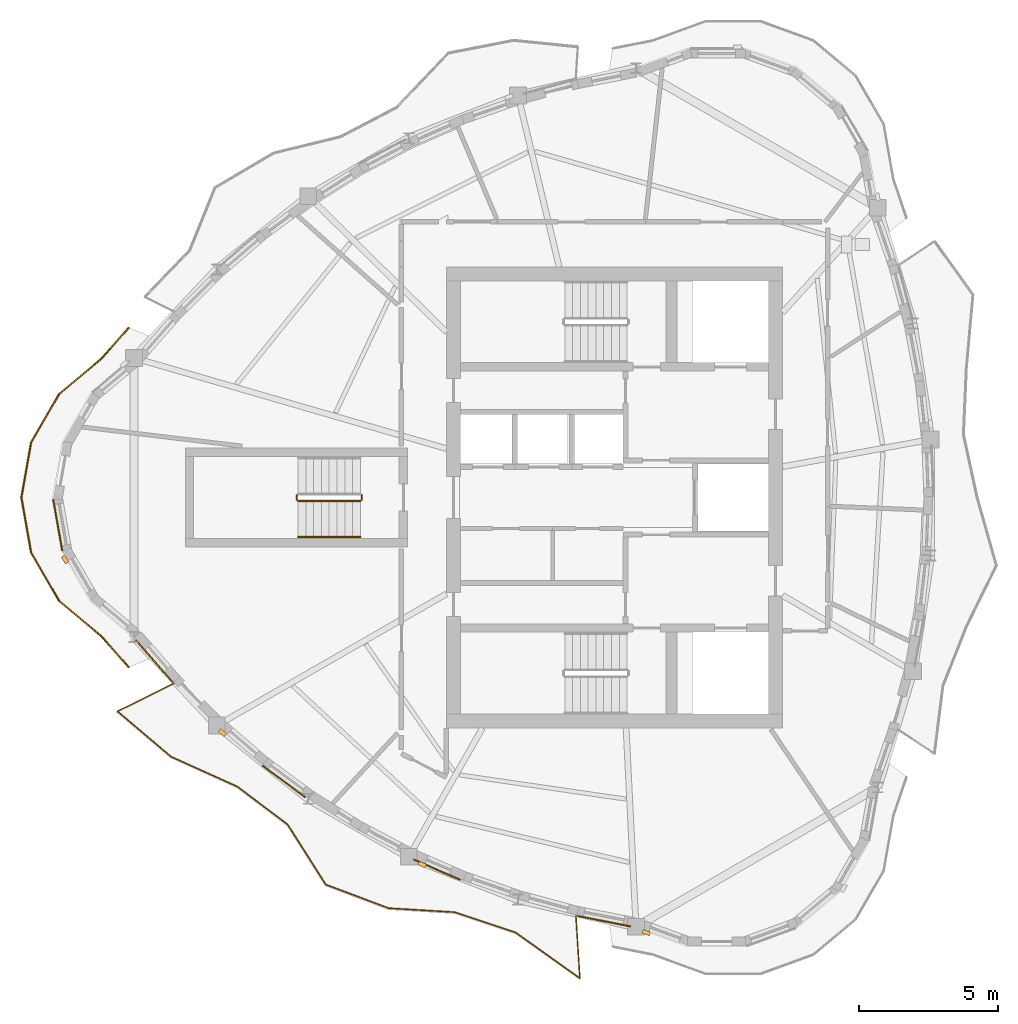
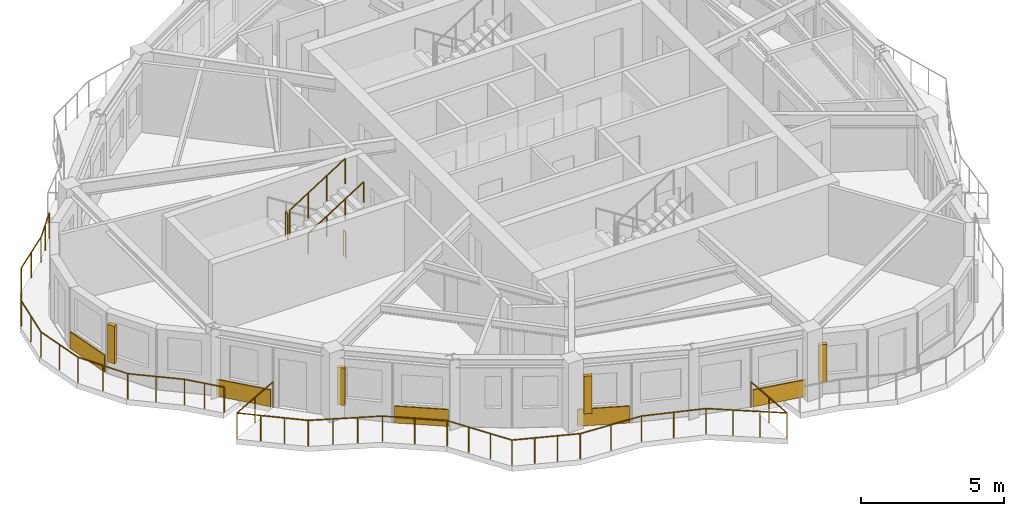
# One storey, part 8 of 12: 6 railings, 5 coverings, 4 shading devices.
"""IFC4 building model written with IfcOpenShell, lengths in metres."""

import ifcopenshell
import ifcopenshell.guid

model = None  # the IFC model being written
_history = None  # IfcOwnerHistory: only IFC2X3 demands one
_inside = {}  # id of a spatial element -> (the spatial element, [elements in it])
_under = {}  # id of a project, library or spatial element -> (it, [spatial elements below it])
_declared = {}  # id of a project -> (the project, [libraries it declares])
_typed = {}  # id of a type object -> (the type object, [elements of that type])
_made_of = {}  # id of a material, layer set ... -> (it, [elements and type objects made of it])


def new_model(schema):
    """Start an empty IFC model of exactly this schema.

    Asked for "IFC4X3", IfcOpenShell would pick the latest addendum, in which some entities
    have other attributes; the version numbers below select the first issue.
    IFC2X3 requires an IfcOwnerHistory on every rooted entity: one is made here for all.
    """
    global model, _history
    if schema == "IFC4X3":
        model = ifcopenshell.file(schema_version=(4, 3, 0, 0))
    else:
        model = ifcopenshell.file(schema=schema)
    _inside.clear()
    _under.clear()
    _declared.clear()
    _typed.clear()
    _made_of.clear()
    _history = None
    if model.schema == "IFC2X3":
        org = make("IfcOrganization", Name="unknown")
        user = make(
            "IfcPersonAndOrganization",
            ThePerson=make("IfcPerson", FamilyName="unknown"),
            TheOrganization=org,
        )
        app = make(
            "IfcApplication",
            ApplicationDeveloper=org,
            Version="unknown",
            ApplicationFullName="unknown",
            ApplicationIdentifier="unknown",
        )
        _history = make(
            "IfcOwnerHistory",
            OwningUser=user,
            OwningApplication=app,
            ChangeAction="ADDED",
            CreationDate=0,
        )
    return model


def make(cls, **values):
    """One entity of the class cls with the attributes given. An attribute that is None is left unset."""
    return model.create_entity(
        cls, **{name: value for name, value in values.items() if value is not None}
    )


def rooted(cls, **values):
    """An entity with a GlobalId (a new one), such as an element, a storey or a relation."""
    return make(cls, GlobalId=ifcopenshell.guid.new(), OwnerHistory=_history, **values)


def si_unit(unit_type, name, prefix=None):
    """IfcSIUnit, for example si_unit("LENGTHUNIT", "METRE", prefix="MILLI")."""
    return make("IfcSIUnit", UnitType=unit_type, Prefix=prefix, Name=name)


def assignment(units):
    """IfcUnitAssignment: the units of a project."""
    return None if units is None else make("IfcUnitAssignment", Units=units)


def point(xyz):
    """IfcCartesianPoint."""
    return None if xyz is None else make("IfcCartesianPoint", Coordinates=xyz)


def direction(xyz):
    """IfcDirection."""
    return None if xyz is None else make("IfcDirection", DirectionRatios=xyz)


def frame(location, z_axis=None, x_axis=None):
    """IfcAxis2Placement3D, a coordinate frame: its origin and axes. An axis left out is left unset."""
    return make(
        "IfcAxis2Placement3D",
        Location=point(location),
        Axis=direction(z_axis),
        RefDirection=direction(x_axis),
    )


def frame_2d(location, x_axis=None):
    """IfcAxis2Placement2D, a coordinate frame in the plane: its origin and x axis."""
    return make(
        "IfcAxis2Placement2D", Location=point(location), RefDirection=direction(x_axis)
    )


def origin():
    """The frame at (0, 0, 0) with its axes left unset."""
    return frame((0.0, 0.0, 0.0))


def origin_2d():
    """The frame at (0, 0) in the plane with its x axis left unset."""
    return frame_2d((0.0, 0.0))


def place(relative_to, where):
    """IfcLocalPlacement: puts the frame where relative to a parent placement (None: the world)."""
    return make(
        "IfcLocalPlacement", PlacementRelTo=relative_to, RelativePlacement=where
    )


def context(
    kind, dimensions, precision=None, world=None, true_north=None, identifier=None
):
    """IfcGeometricRepresentationContext, for example the 3D "Model" context."""
    return make(
        "IfcGeometricRepresentationContext",
        ContextIdentifier=identifier,
        ContextType=kind,
        CoordinateSpaceDimension=dimensions,
        Precision=precision,
        WorldCoordinateSystem=world,
        TrueNorth=true_north,
    )


def subcontext(parent, identifier, kind, view, scale=None):
    """IfcGeometricRepresentationSubContext, for example "Body" below "Model"."""
    return make(
        "IfcGeometricRepresentationSubContext",
        ContextIdentifier=identifier,
        ContextType=kind,
        ParentContext=parent,
        TargetScale=scale,
        TargetView=view,
    )


def project(units=None, contexts=None):
    """IfcProject with its units and contexts."""
    return rooted(
        "IfcProject",
        Name="project",
        RepresentationContexts=contexts,
        UnitsInContext=assignment(units),
    )


def spatial(cls, under=None, at=None, **own):
    """A site, building, storey or space (cls), placed at a placement, below another one or the project."""
    s = rooted(cls, ObjectPlacement=at, **own)
    if under is not None:
        _under.setdefault(under.id(), (under, []))[1].append(s)
    return s


def profile(cls, at=None, kind="AREA", **sizes):
    """A parametric profile (cls). Its sizes go by their IFC names, for example OverallWidth=200.0."""
    return make(cls, ProfileType=kind, Position=at, **sizes)


def rectangle(**sizes):
    """IfcRectangleProfileDef."""
    return profile("IfcRectangleProfileDef", **sizes)


def circle(**sizes):
    """IfcCircleProfileDef."""
    return profile("IfcCircleProfileDef", **sizes)


def extrude(swept, where, along, depth):
    """IfcExtrudedAreaSolid: the profile swept, set in the frame where, extruded along a direction by depth."""
    return make(
        "IfcExtrudedAreaSolid",
        SweptArea=swept,
        Position=where,
        ExtrudedDirection=direction(along),
        Depth=depth,
    )


def shape(context_of_items, identifier, shape_type, items):
    """IfcShapeRepresentation: the items that make up one representation, for example the "Body"."""
    return make(
        "IfcShapeRepresentation",
        ContextOfItems=context_of_items,
        RepresentationIdentifier=identifier,
        RepresentationType=shape_type,
        Items=items,
    )


def source(mapping_origin, context_of_items, identifier, shape_type, items):
    """IfcRepresentationMap: a shape defined once, which mapped items show again and again."""
    return make(
        "IfcRepresentationMap",
        MappingOrigin=mapping_origin,
        MappedRepresentation=shape(context_of_items, identifier, shape_type, items),
    )


def transform(
    local_origin,
    x_axis=None,
    y_axis=None,
    z_axis=None,
    scale=None,
    scale2=None,
    scale3=None,
    uniform=True,
):
    """IfcCartesianTransformationOperator3D, or its non-uniform kind. x_axis, y_axis, z_axis: its Axis1, 2, 3."""
    if uniform:
        return make(
            "IfcCartesianTransformationOperator3D",
            Axis1=direction(x_axis),
            Axis2=direction(y_axis),
            LocalOrigin=point(local_origin),
            Scale=scale,
            Axis3=direction(z_axis),
        )
    return make(
        "IfcCartesianTransformationOperator3DnonUniform",
        Axis1=direction(x_axis),
        Axis2=direction(y_axis),
        LocalOrigin=point(local_origin),
        Scale=scale,
        Axis3=direction(z_axis),
        Scale2=scale2,
        Scale3=scale3,
    )


def mapped(mapping_source, mapping_target):
    """IfcMappedItem: shows the shape of a source again, moved by a transform."""
    return make(
        "IfcMappedItem", MappingSource=mapping_source, MappingTarget=mapping_target
    )


def material(Name=None, Category=None):
    """IfcMaterial."""
    return make("IfcMaterial", Name=Name, Category=Category)


def layer(
    of_material, thickness, ventilated=None, Name=None, Category=None, Priority=None
):
    """IfcMaterialLayer: one layer of a wall or slab, of a material (None: an air gap)."""
    return make(
        "IfcMaterialLayer",
        Material=of_material,
        LayerThickness=thickness,
        IsVentilated=ventilated,
        Name=Name,
        Category=Category,
        Priority=Priority,
    )


def layer_set(layers, Name=None):
    """IfcMaterialLayerSet."""
    return make("IfcMaterialLayerSet", MaterialLayers=layers, LayerSetName=Name)


def made_of(thing, what):
    """Note that an element or type object is made of a material, layer set ...; save() writes the relation."""
    if what is not None:
        _made_of.setdefault(what.id(), (what, []))[1].append(thing)
    return thing


def type_object(cls, material=None, **own):
    """A type object (cls), such as IfcWallType, which elements share."""
    return made_of(rooted(cls, **own), material)


def element(
    cls,
    number,
    at=None,
    inside=None,
    cuts=None,
    type_object=None,
    material=None,
    context=None,
    identifier="Body",
    shape_type=None,
    held_by="IfcProductDefinitionShape",
    body=None,
    shapes=None,
    **own,
):
    """One element of the class cls, such as IfcWall. Its Tag is "e" and its number.

    at: its placement. inside: the storey or other place that contains it. cuts: it is an
    opening in that element (IfcRelVoidsElement). A single representation is given by context,
    identifier, shape_type and body (its items); several are given by shapes. held_by: the class
    of the entity that holds the representations. save() writes the other relations.
    """
    e = rooted(cls, Tag="e%d" % number, ObjectPlacement=at, **own)
    if body is not None:
        shapes = [shape(context, identifier, shape_type, body)]
    if shapes is not None:
        e.Representation = make(held_by, Representations=shapes)
    if inside is not None:
        _inside.setdefault(inside.id(), (inside, []))[1].append(e)
    if cuts is not None:
        rooted(
            "IfcRelVoidsElement", RelatingBuildingElement=cuts, RelatedOpeningElement=e
        )
    if type_object is not None:
        _typed.setdefault(type_object.id(), (type_object, []))[1].append(e)
    return made_of(e, material)


def aggregate(whole, parts):
    """IfcRelAggregates: a whole, such as a stair, and the parts it consists of."""
    return rooted("IfcRelAggregates", RelatingObject=whole, RelatedObjects=parts)


def save(model, path):
    """Write the relations noted so far, then the file.

    IfcRelAggregates (storeys below a building ...), IfcRelContainedInSpatialStructure (elements
    in a storey), IfcRelDefinesByType, IfcRelAssociatesMaterial and IfcRelDeclares: one each for
    every whole, place, type object, material and project.
    """
    for whole, parts in _under.values():
        aggregate(whole, parts)
    for where, things in _inside.values():
        rooted(
            "IfcRelContainedInSpatialStructure",
            RelatedElements=things,
            RelatingStructure=where,
        )
    for kind, things in _typed.values():
        rooted("IfcRelDefinesByType", RelatedObjects=things, RelatingType=kind)
    for what, things in _made_of.values():
        rooted("IfcRelAssociatesMaterial", RelatedObjects=things, RelatingMaterial=what)
    for by, libraries in _declared.values():
        rooted("IfcRelDeclares", RelatingContext=by, RelatedDefinitions=libraries)
    model.write(path)


model = new_model("IFC4")

# Units and contexts
model_context = context("Model", 3, precision=1e-05, world=origin(), true_north=direction((0.0, 1.0)))
body_context = subcontext(model_context, "Body", "Model", "MODEL_VIEW")
ifc_project = project(units=[si_unit("LENGTHUNIT", "METRE"), si_unit("AREAUNIT", "SQUARE_METRE"), si_unit("VOLUMEUNIT", "CUBIC_METRE"), si_unit("PLANEANGLEUNIT", "RADIAN"), si_unit("MASSUNIT", "GRAM", prefix="KILO")], contexts=[model_context])

# Site, building, storey
site_placement = place(None, origin())
site = spatial("IfcSite", under=ifc_project, at=site_placement, CompositionType="ELEMENT")
building_placement = place(site_placement, origin())
building = spatial("IfcBuilding", under=site, at=building_placement, Name="Qafzar Sky-Pleat Residences", CompositionType="ELEMENT")
storey_placement = place(building_placement, frame((0.0, 0.0, 224.39990234375)))
storey = spatial("IfcBuildingStorey", under=building, at=storey_placement, Name="L67", CompositionType="ELEMENT", Elevation=224.39990234375)

# Shading devices
ifc_material_1 = material(Name="Honed Riyadh limestone solar fin", Category="masonry")
ifc_layer_1 = layer(ifc_material_1, 0.139892578125)
ifc_layer_set_1 = layer_set([ifc_layer_1], Name="Honed Riyadh limestone solar fin")
shading_device_type = type_object("IfcShadingDeviceType", Name="SHD-FIN-STONE", PredefinedType="SHUTTER", material=ifc_layer_set_1)
shared_shape_1 = source(origin(), body_context, "Body", "SweptSolid", [
    extrude(rectangle(XDim=0.139892578125, YDim=0.280029296875, at=origin_2d()), origin(), (0.0, 0.0, 1.0), 1.60009765625),
])
for number, where, z_axis, x_axis, name in (
    (1, (10.57470703125, 23.765380859375, 0.60009765625), (0.0, 0.0, 1.0), (-0.86604422228, -0.499967403994, 0.0), "L67 Limestone Solar Fin 5"),
    (2, (16.23095703125, 17.536865234375, 0.60009765625), (0.0, 0.0, 1.0), (-0.652875342828, -0.757465369986, 0.0), "L67 Limestone Solar Fin 9"),
    (3, (23.426025390625, 12.7900390625, 0.60009765625), (0.0, 0.0, 1.0), (-0.398679090414, -0.917090498733, 0.0), "L67 Limestone Solar Fin 13"),
    (4, (31.48681640625, 10.343994140625, 0.60009765625), (0.0, 0.0, 1.0), (-0.342053959704, -0.939680311942, 0.0), "L67 Limestone Solar Fin 17"),
):
    element("IfcShadingDevice", number, at=place(storey_placement, frame(where, z_axis=z_axis, x_axis=x_axis)), inside=storey, type_object=shading_device_type, Name=name, PredefinedType="SHUTTER", context=body_context, shape_type="MappedRepresentation", body=[
        mapped(shared_shape_1, transform((0.0, 0.0, 0.0), x_axis=(1.0, 0.0, 0.0), y_axis=(0.0, 1.0, 0.0), z_axis=(0.0, 0.0, 1.0), scale=1.0)),
    ])

# Covering
ifc_material_2 = material(Name="Honed Riyadh Tuwaiq limestone cladding", Category="masonry")
ifc_layer_2 = layer(ifc_material_2, 0.044921875)
ifc_layer_set_2 = layer_set([ifc_layer_2], Name="Honed Riyadh Tuwaiq limestone cladding")
covering_type = type_object("IfcCoveringType", Name="COV-CLAD-STONE", PredefinedType="CLADDING", material=ifc_layer_set_2)
shared_shape_2 = source(origin(), body_context, "Body", "SweptSolid", [
    extrude(rectangle(XDim=1.88134765625, YDim=0.044921875, at=origin_2d()), origin(), (0.0, 0.0, 1.0), 0.719970703125),
])
covering_1_placement = place(storey_placement, frame((10.308349609375, 25.00439453125, 0.02001953125), z_axis=(0.0, 0.0, 1.0), x_axis=(0.173662519465, -0.984805224059, 0.0)))
element("IfcCovering", 5, at=covering_1_placement, inside=storey, type_object=covering_type, Name="L67 Riyadh Limestone Spandrel Cladding 4", PredefinedType="CLADDING", context=body_context, shape_type="MappedRepresentation", body=[
    mapped(shared_shape_2, transform((0.0, 0.0, 0.0), x_axis=(1.0, 0.0, 0.0), y_axis=(0.0, 1.0, 0.0), z_axis=(0.0, 0.0, 1.0), scale=1.0)),
])

# Railings
ifc_material_3 = material(Name="Laminated glass and bronze steel balustrade", Category="steel")
railing_type_1 = type_object("IfcRailingType", Name="RAIL-BAL-1100", PredefinedType="BALUSTRADE", material=ifc_material_3)
shared_shape_3 = source(origin(), body_context, "Body", "SweptSolid", [
    extrude(circle(Radius=0.02392578125, at=origin_2d()), frame((0.0, 0.0, 1.076171875), z_axis=(-0.896055493249, -0.44394206043, 0.0), x_axis=(0.44394206043, -0.896055493249, 0.0)), (0.0, 0.0, 1.0), 2.270751953125),
    extrude(circle(Radius=0.02392578125, at=origin_2d()), frame((-2.03466796875, -1.008056640625, 1.076171875), z_axis=(0.763404563516, -0.6459206394, 0.0), x_axis=(0.6459206394, 0.763404563516, 0.0)), (0.0, 0.0, 1.0), 2.533203125),
    extrude(circle(Radius=0.02392578125, at=origin_2d()), frame((-0.100830078125, -2.644287109375, 1.076171875), z_axis=(0.911932022552, -0.41034130458, 0.0), x_axis=(0.41034130458, 0.911932022552, 0.0)), (0.0, 0.0, 1.0), 2.60595703125),
    extrude(circle(Radius=0.02392578125, at=origin_2d()), frame((2.275634765625, -3.713623046875, 1.076171875), z_axis=(0.798633626222, -0.601817523064, 0.0), x_axis=(0.601817523064, 0.798633626222, 0.0)), (0.0, 0.0, 1.0), 2.276123046875),
    extrude(circle(Radius=0.02392578125, at=origin_2d()), frame((4.093505859375, -5.08349609375, 1.076171875), z_axis=(0.535379213772, -0.844611802819, 0.0), x_axis=(0.844611802819, 0.535379213772, 0.0)), (0.0, 0.0, 1.0), 2.556396484375),
    extrude(circle(Radius=0.02392578125, at=origin_2d()), frame((5.462158203125, -7.24267578125, 1.076171875), z_axis=(0.936038381096, -0.351897924285, 0.0), x_axis=(0.351897924285, 0.936038381096, 0.0)), (0.0, 0.0, 1.0), 2.417724609375),
    extrude(circle(Radius=0.02392578125, at=origin_2d()), frame((7.725341796875, -8.093505859375, 1.076171875), z_axis=(0.998177268218, -0.06035015504, 0.0), x_axis=(0.06035015504, 0.998177268218, 0.0)), (0.0, 0.0, 1.0), 2.390869140625),
    extrude(circle(Radius=0.02392578125, at=origin_2d()), frame((10.11181640625, -8.23779296875, 1.076171875), z_axis=(0.948651373589, -0.316323523293, 0.0), x_axis=(0.316323523293, 0.948651373589, 0.0)), (0.0, 0.0, 1.0), 2.294677734375),
    extrude(circle(Radius=0.02392578125, at=origin_2d()), frame((12.28857421875, -8.963623046875, 1.076171875), z_axis=(0.8144156978, -0.58028188941, 0.0), x_axis=(0.58028188941, 0.8144156978, 0.0)), (0.0, 0.0, 1.0), 2.850830078125),
    extrude(circle(Radius=0.02392578125, at=origin_2d()), frame((14.6103515625, -10.617919921875, 1.076171875), z_axis=(-0.063757111536, 0.997965445659, 0.0), x_axis=(-0.997965445659, -0.063757111536, 0.0)), (0.0, 0.0, 1.0), 2.270751953125),
    extrude(circle(Radius=0.02099609375, at=origin_2d()), origin(), (0.0, 0.0, 1.0), 1.052001953125),
    extrude(circle(Radius=0.02099609375, at=origin_2d()), frame((-1.017333984375, -0.50390625, 0.0)), (0.0, 0.0, 1.0), 1.052001953125),
    extrude(circle(Radius=0.02099609375, at=origin_2d()), frame((-2.03466796875, -1.008056640625, 0.0)), (0.0, 0.0, 1.0), 1.052001953125),
    extrude(circle(Radius=0.02099609375, at=origin_2d()), frame((-1.39013671875, -1.553466796875, 0.0)), (0.0, 0.0, 1.0), 1.052001953125),
    extrude(circle(Radius=0.02099609375, at=origin_2d()), frame((-0.745361328125, -2.098876953125, 0.0)), (0.0, 0.0, 1.0), 1.052001953125),
    extrude(circle(Radius=0.02099609375, at=origin_2d()), frame((-0.100830078125, -2.644287109375, 0.0)), (0.0, 0.0, 1.0), 1.052001953125),
    extrude(circle(Radius=0.02099609375, at=origin_2d()), frame((0.69140625, -3.000732421875, 0.0)), (0.0, 0.0, 1.0), 1.052001953125),
    extrude(circle(Radius=0.02099609375, at=origin_2d()), frame((1.4833984375, -3.357177734375, 0.0)), (0.0, 0.0, 1.0), 1.052001953125),
    extrude(circle(Radius=0.02099609375, at=origin_2d()), frame((2.275634765625, -3.713623046875, 0.0)), (0.0, 0.0, 1.0), 1.052001953125),
    extrude(circle(Radius=0.02099609375, at=origin_2d()), frame((3.1845703125, -4.3984375, 0.0)), (0.0, 0.0, 1.0), 1.052001953125),
    extrude(circle(Radius=0.02099609375, at=origin_2d()), frame((4.093505859375, -5.08349609375, 0.0)), (0.0, 0.0, 1.0), 1.052001953125),
    extrude(circle(Radius=0.02099609375, at=origin_2d()), frame((4.5498046875, -5.80322265625, 0.0)), (0.0, 0.0, 1.0), 1.052001953125),
    extrude(circle(Radius=0.02099609375, at=origin_2d()), frame((5.005859375, -6.52294921875, 0.0)), (0.0, 0.0, 1.0), 1.052001953125),
    extrude(circle(Radius=0.02099609375, at=origin_2d()), frame((5.462158203125, -7.24267578125, 0.0)), (0.0, 0.0, 1.0), 1.052001953125),
    extrude(circle(Radius=0.02099609375, at=origin_2d()), frame((6.216552734375, -7.5263671875, 0.0)), (0.0, 0.0, 1.0), 1.052001953125),
    extrude(circle(Radius=0.02099609375, at=origin_2d()), frame((6.970947265625, -7.809814453125, 0.0)), (0.0, 0.0, 1.0), 1.052001953125),
    extrude(circle(Radius=0.02099609375, at=origin_2d()), frame((7.725341796875, -8.093505859375, 0.0)), (0.0, 0.0, 1.0), 1.052001953125),
    extrude(circle(Radius=0.02099609375, at=origin_2d()), frame((8.91845703125, -8.16552734375, 0.0)), (0.0, 0.0, 1.0), 1.052001953125),
    extrude(circle(Radius=0.02099609375, at=origin_2d()), frame((10.11181640625, -8.23779296875, 0.0)), (0.0, 0.0, 1.0), 1.052001953125),
    extrude(circle(Radius=0.02099609375, at=origin_2d()), frame((11.2001953125, -8.6005859375, 0.0)), (0.0, 0.0, 1.0), 1.052001953125),
    extrude(circle(Radius=0.02099609375, at=origin_2d()), frame((12.28857421875, -8.963623046875, 0.0)), (0.0, 0.0, 1.0), 1.052001953125),
    extrude(circle(Radius=0.02099609375, at=origin_2d()), frame((13.0625, -9.51513671875, 0.0)), (0.0, 0.0, 1.0), 1.052001953125),
    extrude(circle(Radius=0.02099609375, at=origin_2d()), frame((13.83642578125, -10.06640625, 0.0)), (0.0, 0.0, 1.0), 1.052001953125),
    extrude(circle(Radius=0.02099609375, at=origin_2d()), frame((14.6103515625, -10.617919921875, 0.0)), (0.0, 0.0, 1.0), 1.052001953125),
    extrude(circle(Radius=0.02099609375, at=origin_2d()), frame((14.5380859375, -9.48486328125, 0.0)), (0.0, 0.0, 1.0), 1.052001953125),
    extrude(circle(Radius=0.02099609375, at=origin_2d()), frame((14.465576171875, -8.351806640625, 0.0)), (0.0, 0.0, 1.0), 1.052001953125),
])
railing_1_placement = place(storey_placement, frame((14.494140625, 19.310791015625, 0.0)))
element("IfcRailing", 6, at=railing_1_placement, inside=storey, type_object=railing_type_1, Name="L67 Pleated Balcony 3 Balustrade", PredefinedType="BALUSTRADE", context=body_context, shape_type="MappedRepresentation", body=[
    mapped(shared_shape_3, transform((0.0, 0.0, 0.0), x_axis=(1.0, 0.0, 0.0), y_axis=(0.0, 1.0, 0.0), z_axis=(0.0, 0.0, 1.0), scale=1.0)),
])
shared_shape_4 = source(origin(), body_context, "Body", "SweptSolid", [
    extrude(circle(Radius=0.02392578125, at=origin_2d()), frame((0.0, 0.0, 1.076171875), z_axis=(-0.658375287419, 0.752689830485, 0.0), x_axis=(-0.752689830485, -0.658375287419, 0.0)), (0.0, 0.0, 1.0), 1.47021484375),
    extrude(circle(Radius=0.02392578125, at=origin_2d()), frame((-0.968017578125, 1.106689453125, 1.076171875), z_axis=(-0.766985591014, 0.641664322818, 0.0), x_axis=(-0.641664322818, -0.766985591014, 0.0)), (0.0, 0.0, 1.0), 2.010498046875),
    extrude(circle(Radius=0.02392578125, at=origin_2d()), frame((-2.510009765625, 2.396728515625, 1.076171875), z_axis=(-0.500672251642, 0.865636931072, 0.0), x_axis=(-0.865636931072, -0.500672251642, 0.0)), (0.0, 0.0, 1.0), 2.009521484375),
    extrude(circle(Radius=0.02392578125, at=origin_2d()), frame((-3.51611328125, 4.13623046875, 1.076171875), z_axis=(-0.174007152574, 0.984744388587, 0.0), x_axis=(-0.984744388587, -0.174007152574, 0.0)), (0.0, 0.0, 1.0), 2.00927734375),
    extrude(circle(Radius=0.02392578125, at=origin_2d()), frame((-3.86572265625, 6.11474609375, 1.076171875), z_axis=(0.174007152574, 0.984744388587, 0.0), x_axis=(-0.984744388587, 0.174007152574, 0.0)), (0.0, 0.0, 1.0), 2.00927734375),
    extrude(circle(Radius=0.02392578125, at=origin_2d()), frame((-3.51611328125, 8.09326171875, 1.076171875), z_axis=(0.500672251642, 0.865636931072, 0.0), x_axis=(-0.865636931072, 0.500672251642, 0.0)), (0.0, 0.0, 1.0), 2.009521484375),
    extrude(circle(Radius=0.02392578125, at=origin_2d()), frame((-2.510009765625, 9.832763671875, 1.076171875), z_axis=(0.766985591014, 0.641664322818, 0.0), x_axis=(-0.641664322818, 0.766985591014, 0.0)), (0.0, 0.0, 1.0), 2.010498046875),
    extrude(circle(Radius=0.02392578125, at=origin_2d()), frame((-0.968017578125, 11.122802734375, 1.076171875), z_axis=(0.658375287419, 0.752689830485, 0.0), x_axis=(-0.752689830485, 0.658375287419, 0.0)), (0.0, 0.0, 1.0), 1.47021484375),
    extrude(circle(Radius=0.02099609375, at=origin_2d()), origin(), (0.0, 0.0, 1.0), 1.052001953125),
    extrude(circle(Radius=0.02099609375, at=origin_2d()), frame((-0.48388671875, 0.55322265625, 0.0)), (0.0, 0.0, 1.0), 1.052001953125),
    extrude(circle(Radius=0.02099609375, at=origin_2d()), frame((-0.968017578125, 1.106689453125, 0.0)), (0.0, 0.0, 1.0), 1.052001953125),
    extrude(circle(Radius=0.02099609375, at=origin_2d()), frame((-1.739013671875, 1.751708984375, 0.0)), (0.0, 0.0, 1.0), 1.052001953125),
    extrude(circle(Radius=0.02099609375, at=origin_2d()), frame((-2.510009765625, 2.396728515625, 0.0)), (0.0, 0.0, 1.0), 1.052001953125),
    extrude(circle(Radius=0.02099609375, at=origin_2d()), frame((-3.01318359375, 3.2666015625, 0.0)), (0.0, 0.0, 1.0), 1.052001953125),
    extrude(circle(Radius=0.02099609375, at=origin_2d()), frame((-3.51611328125, 4.13623046875, 0.0)), (0.0, 0.0, 1.0), 1.052001953125),
    extrude(circle(Radius=0.02099609375, at=origin_2d()), frame((-3.69091796875, 5.12548828125, 0.0)), (0.0, 0.0, 1.0), 1.052001953125),
    extrude(circle(Radius=0.02099609375, at=origin_2d()), frame((-3.86572265625, 6.11474609375, 0.0)), (0.0, 0.0, 1.0), 1.052001953125),
    extrude(circle(Radius=0.02099609375, at=origin_2d()), frame((-3.69091796875, 7.10400390625, 0.0)), (0.0, 0.0, 1.0), 1.052001953125),
    extrude(circle(Radius=0.02099609375, at=origin_2d()), frame((-3.51611328125, 8.09326171875, 0.0)), (0.0, 0.0, 1.0), 1.052001953125),
    extrude(circle(Radius=0.02099609375, at=origin_2d()), frame((-3.01318359375, 8.962890625, 0.0)), (0.0, 0.0, 1.0), 1.052001953125),
    extrude(circle(Radius=0.02099609375, at=origin_2d()), frame((-2.510009765625, 9.832763671875, 0.0)), (0.0, 0.0, 1.0), 1.052001953125),
    extrude(circle(Radius=0.02099609375, at=origin_2d()), frame((-1.739013671875, 10.477783203125, 0.0)), (0.0, 0.0, 1.0), 1.052001953125),
    extrude(circle(Radius=0.02099609375, at=origin_2d()), frame((-0.968017578125, 11.122802734375, 0.0)), (0.0, 0.0, 1.0), 1.052001953125),
    extrude(circle(Radius=0.02099609375, at=origin_2d()), frame((-0.48388671875, 11.67626953125, 0.0)), (0.0, 0.0, 1.0), 1.052001953125),
    extrude(circle(Radius=0.02099609375, at=origin_2d()), frame((0.0, 12.2294921875, 0.0)), (0.0, 0.0, 1.0), 1.052001953125),
])
railing_2_placement = place(storey_placement, frame((12.86572265625, 19.88525390625, 0.0)))
element("IfcRailing", 7, at=railing_2_placement, inside=storey, type_object=railing_type_1, Name="L67 Corner Terrace 1 Balustrade", PredefinedType="BALUSTRADE", context=body_context, shape_type="MappedRepresentation", body=[
    mapped(shared_shape_4, transform((0.0, 0.0, 0.0), x_axis=(1.0, 0.0, 0.0), y_axis=(0.0, 1.0, 0.0), z_axis=(0.0, 0.0, 1.0), scale=1.0)),
])

# Coverings
shared_shape_5 = source(origin(), body_context, "Body", "SweptSolid", [
    extrude(rectangle(XDim=2.00048828125, YDim=0.044921875, at=origin_2d()), origin(), (0.0, 0.0, 1.0), 0.719970703125),
])
covering_2_placement = place(storey_placement, frame((13.782470703125, 20.1103515625, 0.02001953125), z_axis=(0.0, 0.0, 1.0), x_axis=(0.657596459069, -0.753370358469, 0.0)))
element("IfcCovering", 8, at=covering_2_placement, inside=storey, type_object=covering_type, Name="L67 Riyadh Limestone Spandrel Cladding 7", PredefinedType="CLADDING", context=body_context, shape_type="MappedRepresentation", body=[
    mapped(shared_shape_5, transform((0.0, 0.0, 0.0), x_axis=(1.0, 0.0, 0.0), y_axis=(0.0, 1.0, 0.0), z_axis=(0.0, 0.0, 1.0), scale=1.0)),
])
shared_shape_6 = source(origin(), body_context, "Body", "SweptSolid", [
    extrude(rectangle(XDim=1.906005859375, YDim=0.044921875, at=origin_2d()), origin(), (0.0, 0.0, 1.0), 0.719970703125),
])
covering_3_placement = place(storey_placement, frame((18.4501953125, 15.781005859375, 0.02001953125), z_axis=(0.0, 0.0, 1.0), x_axis=(0.803836480524, -0.594850327879, 0.0)))
element("IfcCovering", 9, at=covering_3_placement, inside=storey, type_object=covering_type, Name="L67 Riyadh Limestone Spandrel Cladding 10", PredefinedType="CLADDING", context=body_context, shape_type="MappedRepresentation", body=[
    mapped(shared_shape_6, transform((0.0, 0.0, 0.0), x_axis=(1.0, 0.0, 0.0), y_axis=(0.0, 1.0, 0.0), z_axis=(0.0, 0.0, 1.0), scale=1.0)),
])
shared_shape_7 = source(origin(), body_context, "Body", "SweptSolid", [
    extrude(rectangle(XDim=1.843017578125, YDim=0.044921875, at=origin_2d()), origin(), (0.0, 0.0, 1.0), 0.719970703125),
])
covering_4_placement = place(storey_placement, frame((23.956787109375, 12.606201171875, 0.02001953125), z_axis=(0.0, 0.0, 1.0), x_axis=(0.917084030907, -0.39869396817, 0.0)))
element("IfcCovering", 10, at=covering_4_placement, inside=storey, type_object=covering_type, Name="L67 Riyadh Limestone Spandrel Cladding 13", PredefinedType="CLADDING", context=body_context, shape_type="MappedRepresentation", body=[
    mapped(shared_shape_7, transform((0.0, 0.0, 0.0), x_axis=(1.0, 0.0, 0.0), y_axis=(0.0, 1.0, 0.0), z_axis=(0.0, 0.0, 1.0), scale=1.0)),
])
shared_shape_8 = source(origin(), body_context, "Body", "SweptSolid", [
    extrude(rectangle(XDim=1.9375, YDim=0.044921875, at=origin_2d()), origin(), (0.0, 0.0, 1.0), 0.719970703125),
])
covering_5_placement = place(storey_placement, frame((29.9736328125, 10.749267578125, 0.02001953125), z_axis=(0.0, 0.0, 1.0), x_axis=(0.981234384678, -0.192818781048, 0.0)))
element("IfcCovering", 11, at=covering_5_placement, inside=storey, type_object=covering_type, Name="L67 Riyadh Limestone Spandrel Cladding 16", PredefinedType="CLADDING", context=body_context, shape_type="MappedRepresentation", body=[
    mapped(shared_shape_8, transform((0.0, 0.0, 0.0), x_axis=(1.0, 0.0, 0.0), y_axis=(0.0, 1.0, 0.0), z_axis=(0.0, 0.0, 1.0), scale=1.0)),
])

# Railings
ifc_material_4 = material(Name="Painted Steel S355 stair guardrail", Category="steel")
railing_type_2 = type_object("IfcRailingType", Name="RAIL-STAIR-GUARD", PredefinedType="GUARDRAIL", material=ifc_material_4)
shared_shape_9 = source(origin(), body_context, "Body", "SweptSolid", [
    extrude(circle(Radius=0.02392578125, at=origin_2d()), frame((0.0, 0.0, 1.076171875), z_axis=(0.0, -1.0, 0.0), x_axis=(1.0, 0.0, 0.0)), (0.0, 0.0, 1.0), 0.14990234375),
    extrude(circle(Radius=0.02099609375, at=origin_2d()), origin(), (0.0, 0.0, 1.0), 1.052001953125),
    extrude(circle(Radius=0.02099609375, at=origin_2d()), frame((0.0, -0.14990234375, 0.0)), (0.0, 0.0, 1.0), 1.052001953125),
])
for number, where, name in (
    (12, (18.909912109375, 26.074951171875, 1.60009765625), "L67 ST3 stair guard 2"),
    (13, (21.25, 26.074951171875, 0.0), "L67 ST3 stair guard 4"),
):
    element("IfcRailing", number, at=place(storey_placement, frame(where)), inside=storey, type_object=railing_type_2, Name=name, PredefinedType="GUARDRAIL", context=body_context, shape_type="MappedRepresentation", body=[
        mapped(shared_shape_9, transform((0.0, 0.0, 0.0), x_axis=(1.0, 0.0, 0.0), y_axis=(0.0, 1.0, 0.0), z_axis=(0.0, 0.0, 1.0), scale=1.0)),
    ])
shared_shape_10 = source(origin(), body_context, "Body", "SweptSolid", [
    extrude(circle(Radius=0.02392578125, at=origin_2d()), frame((0.0, 0.0, 1.076171875), z_axis=(0.84418770128, 0.0, 0.536047689118), x_axis=(0.0, 1.0, 0.0)), (0.0, 0.0, 1.0), 2.6533203125),
    extrude(circle(Radius=0.02099609375, at=origin_2d()), origin(), (0.0, 0.0, 1.0), 1.052001953125),
    extrude(circle(Radius=0.02099609375, at=origin_2d()), frame((0.74658203125, 0.0, 0.47412109375)), (0.0, 0.0, 1.0), 1.052001953125),
    extrude(circle(Radius=0.02099609375, at=origin_2d()), frame((1.493408203125, 0.0, 0.9482421875)), (0.0, 0.0, 1.0), 1.052001953125),
    extrude(circle(Radius=0.02099609375, at=origin_2d()), frame((2.239990234375, 0.0, 1.42236328125)), (0.0, 0.0, 1.0), 1.052001953125),
])
railing_3_placement = place(storey_placement, frame((18.9599609375, 25.875, 1.77783203125)))
element("IfcRailing", 14, at=railing_3_placement, inside=storey, type_object=railing_type_2, Name="L67 ST3 stair guard 3", PredefinedType="GUARDRAIL", context=body_context, shape_type="MappedRepresentation", body=[
    mapped(shared_shape_10, transform((0.0, 0.0, 0.0), x_axis=(1.0, 0.0, 0.0), y_axis=(0.0, 1.0, 0.0), z_axis=(0.0, 0.0, 1.0), scale=1.0)),
])
ifc_material_5 = material(Name="Brushed stainless steel handrail", Category="steel")
railing_type_3 = type_object("IfcRailingType", Name="RAIL-STAIR-HAND", PredefinedType="HANDRAIL", material=ifc_material_5)
shared_shape_11 = source(origin(), body_context, "Body", "SweptSolid", [
    extrude(circle(Radius=0.02392578125, at=origin_2d()), frame((0.0, 0.0, 0.8759765625), z_axis=(0.84418770128, 0.0, 0.536047689118), x_axis=(0.0, 1.0, 0.0)), (0.0, 0.0, 1.0), 2.6533203125),
    extrude(circle(Radius=0.02099609375, at=origin_2d()), origin(), (0.0, 0.0, 1.0), 0.851806640625),
    extrude(circle(Radius=0.02099609375, at=origin_2d()), frame((0.74658203125, 0.0, 0.47412109375)), (0.0, 0.0, 1.0), 0.851806640625),
    extrude(circle(Radius=0.02099609375, at=origin_2d()), frame((1.493408203125, 0.0, 0.9482421875)), (0.0, 0.0, 1.0), 0.851806640625),
    extrude(circle(Radius=0.02099609375, at=origin_2d()), frame((2.239990234375, 0.0, 1.42236328125)), (0.0, 0.0, 1.0), 0.851806640625),
])
railing_4_placement = place(storey_placement, frame((18.9599609375, 24.574951171875, 1.77783203125)))
element("IfcRailing", 15, at=railing_4_placement, inside=storey, type_object=railing_type_3, Name="L67 ST3 stair handrail 2", PredefinedType="HANDRAIL", context=body_context, shape_type="MappedRepresentation", body=[
    mapped(shared_shape_11, transform((0.0, 0.0, 0.0), x_axis=(1.0, 0.0, 0.0), y_axis=(0.0, 1.0, 0.0), z_axis=(0.0, 0.0, 1.0), scale=1.0)),
])

save(model, "model.ifc")
